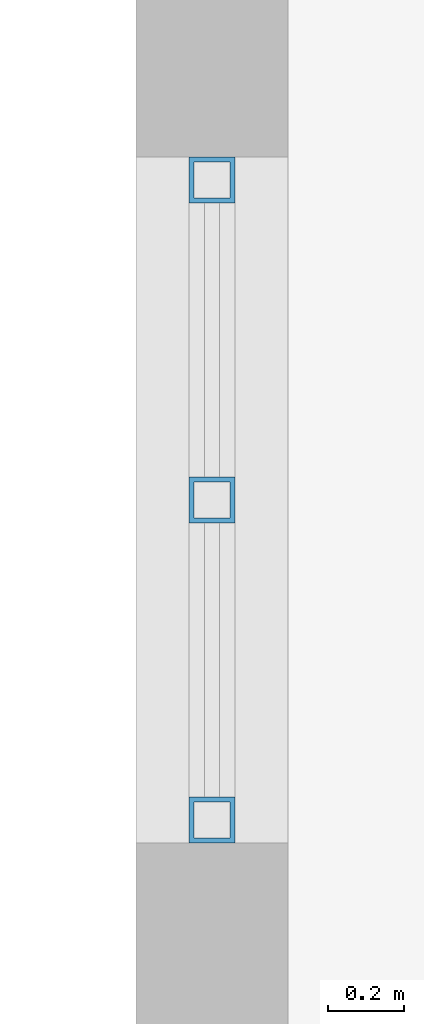
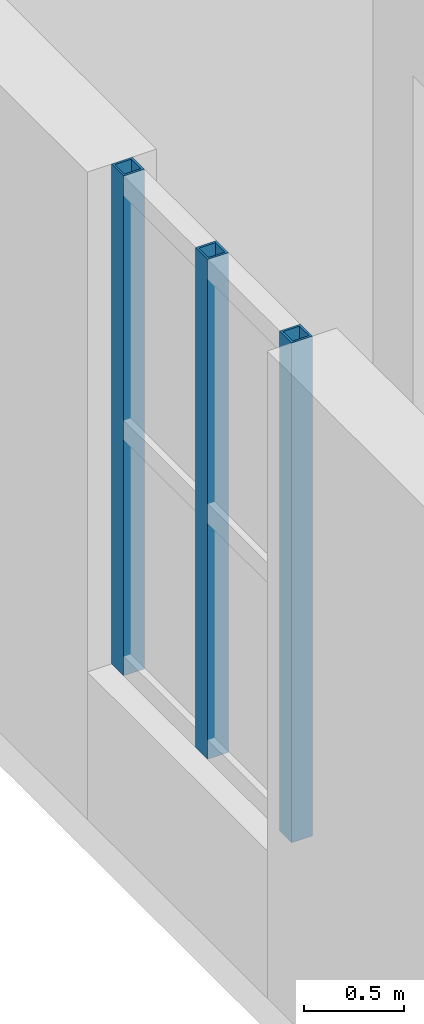
# One storey, part 52 of 121: 3 members, 1 element without a shape of its own.
"""IFC4 building model written with IfcOpenShell, lengths in metres."""

from ifc_helpers import new_model, si_unit, direction, frame, origin, origin_2d, place, context, subcontext, project, spatial, hollow_rectangle, extrude, material, material_profile, profile_set, type_object, element, aggregate, save


model = new_model("IFC4")

# Units and contexts
model_context = context("Model", 3, precision=1e-05, world=origin(), true_north=direction((0.0, 1.0)))
body_context = subcontext(model_context, "Body", "Model", "MODEL_VIEW")
ifc_project = project(units=[si_unit("LENGTHUNIT", "METRE"), si_unit("AREAUNIT", "SQUARE_METRE"), si_unit("VOLUMEUNIT", "CUBIC_METRE"), si_unit("PLANEANGLEUNIT", "RADIAN"), si_unit("MASSUNIT", "GRAM", prefix="KILO")], contexts=[model_context])

# Site, building, storey
site_placement = place(None, origin())
site = spatial("IfcSite", under=ifc_project, at=site_placement, CompositionType="ELEMENT")
building_placement = place(site_placement, origin())
building = spatial("IfcBuilding", under=site, at=building_placement, Name="Golden Quay Civic Hall", CompositionType="ELEMENT")
storey_placement = place(building_placement, frame((0.0, 0.0, 18.60009765625)))
storey = spatial("IfcBuildingStorey", under=building, at=storey_placement, Name="L04", CompositionType="ELEMENT", Elevation=18.60009765625)

# Curtain wall, members
ifc_material_1 = material(Name="Fire-resisting glass and steel", Category="steel")
curtain_wall_type = type_object("IfcCurtainWallType", Name="Fire-resisting glazed stair curtain wall EI 120", PredefinedType="NOTDEFINED", material=ifc_material_1)
curtain_wall_placement = place(storey_placement, origin())
curtain_wall = element("IfcCurtainWall", 1, at=curtain_wall_placement, inside=storey, type_object=curtain_wall_type, Name="CW4 stair curtain wall", PredefinedType="NOTDEFINED")
ifc_material_2 = material(Name="Steel S355", Category="steel")
ifc_material_profile = material_profile(ifc_material_2, hollow_rectangle(XDim=0.1201171875, YDim=0.1201171875, WallThickness=0.012451171875, at=origin_2d()), Name="SHS 120x120x12.5")
ifc_profile_set = profile_set([ifc_material_profile], Name="Steel S355")
member_type = type_object("IfcMemberType", Name="Fire-resisting steel stair mullion 120 x 120", PredefinedType="MULLION", material=ifc_profile_set)
member_1_placement = place(storey_placement, frame((63.0, 103.4599609375, 0.89990234375), z_axis=(0.0, 0.0, 1.0), x_axis=(-1.0, 0.0, 0.0)))
member_1 = element("IfcMember", 2, at=member_1_placement, type_object=member_type, Name="CW4 mullion 1", PredefinedType="MULLION", context=body_context, shape_type="SweptSolid", body=[
    extrude(hollow_rectangle(XDim=0.1201171875, YDim=0.1201171875, WallThickness=0.012451171875, at=origin_2d()), origin(), (0.0, 0.0, 1.0), 3.050048828125),
])
member_2_placement = place(storey_placement, frame((63.0, 104.300048828125, 0.89990234375), z_axis=(0.0, 0.0, 1.0), x_axis=(-1.0, 0.0, 0.0)))
member_2 = element("IfcMember", 3, at=member_2_placement, type_object=member_type, Name="CW4 mullion 2", PredefinedType="MULLION", context=body_context, shape_type="SweptSolid", body=[
    extrude(hollow_rectangle(XDim=0.1201171875, YDim=0.1201171875, WallThickness=0.012451171875, at=origin_2d()), origin(), (0.0, 0.0, 1.0), 3.050048828125),
])
member_3_placement = place(storey_placement, frame((63.0, 105.139892578125, 0.89990234375), z_axis=(0.0, 0.0, 1.0), x_axis=(-1.0, 0.0, 0.0)))
member_3 = element("IfcMember", 4, at=member_3_placement, type_object=member_type, Name="CW4 mullion 3", PredefinedType="MULLION", context=body_context, shape_type="SweptSolid", body=[
    extrude(hollow_rectangle(XDim=0.1201171875, YDim=0.1201171875, WallThickness=0.012451171875, at=origin_2d()), origin(), (0.0, 0.0, 1.0), 3.050048828125),
])
aggregate(curtain_wall, [member_1, member_2, member_3])

save(model, "model.ifc")
